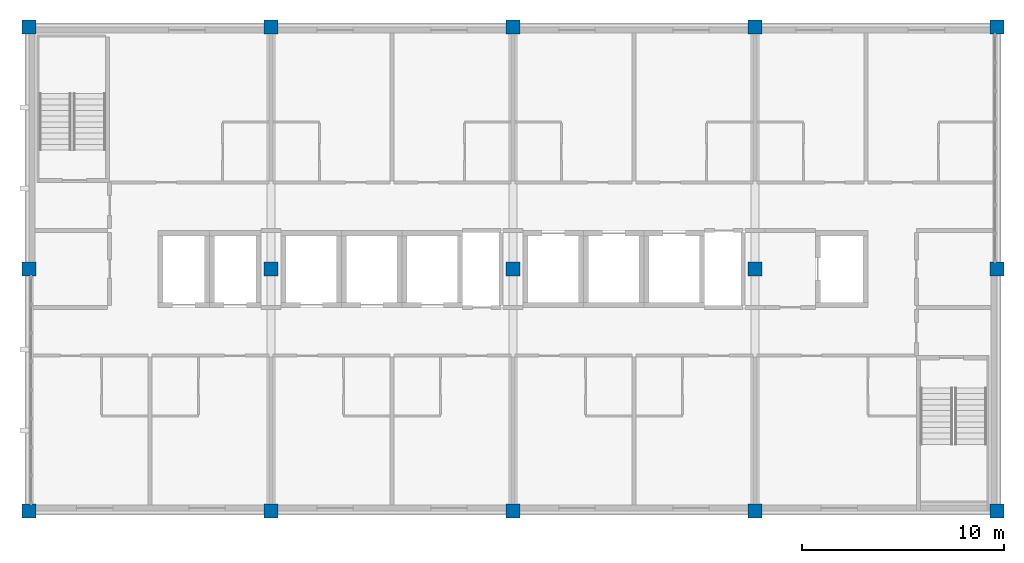
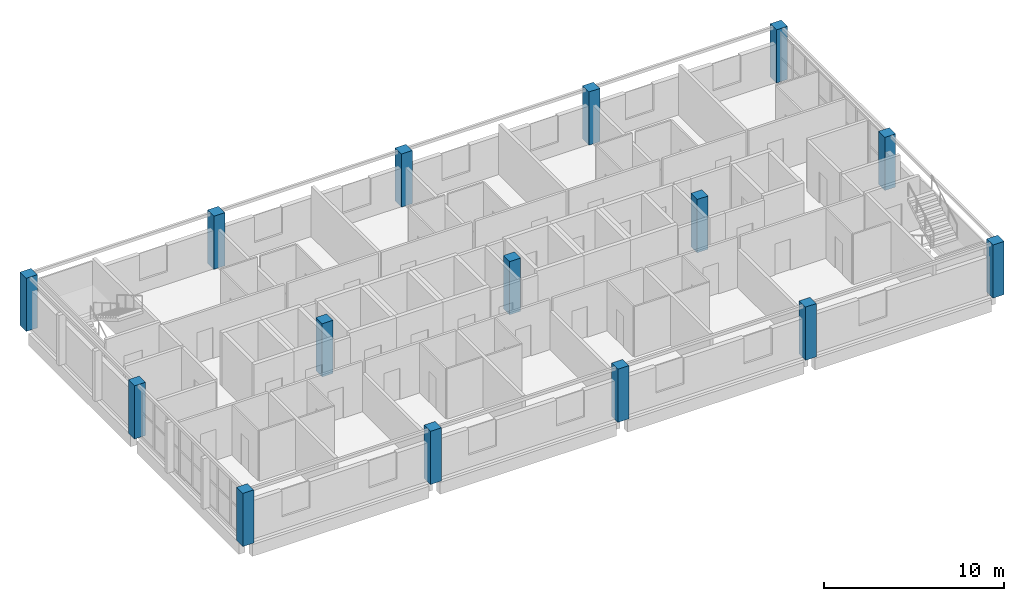
# One storey, part 1 of 11: 15 columns.
"""IFC4 building model written with IfcOpenShell, lengths in metres."""

from ifc_helpers import new_model, si_unit, direction, frame, origin, origin_2d, place, context, subcontext, project, spatial, rectangle, extrude, material, material_profile, profile_set, type_object, element, save


model = new_model("IFC4")

# Units and contexts
model_context = context("Model", 3, precision=1e-05, world=origin(), true_north=direction((0.0, 1.0)))
body_context = subcontext(model_context, "Body", "Model", "MODEL_VIEW")
ifc_project = project(units=[si_unit("LENGTHUNIT", "METRE"), si_unit("AREAUNIT", "SQUARE_METRE"), si_unit("VOLUMEUNIT", "CUBIC_METRE"), si_unit("PLANEANGLEUNIT", "RADIAN"), si_unit("MASSUNIT", "GRAM", prefix="KILO")], contexts=[model_context])

# Site, building, storey
site_placement = place(None, origin())
site = spatial("IfcSite", under=ifc_project, at=site_placement, CompositionType="ELEMENT")
building_placement = place(site_placement, origin())
building = spatial("IfcBuilding", under=site, at=building_placement, Name="Lilac Gate Convention Centre", CompositionType="ELEMENT")
storey_placement = place(building_placement, frame((0.0, 0.0, 60.60009765625)))
storey = spatial("IfcBuildingStorey", under=building, at=storey_placement, Name="L15", CompositionType="ELEMENT", Elevation=60.60009765625)

# Columns
ifc_material = material(Name="Concrete C40", Category="concrete")
ifc_material_profile = material_profile(ifc_material, rectangle(XDim=0.699951171875, YDim=0.699951171875, at=origin_2d()), Name="RC 700x700")
ifc_profile_set = profile_set([ifc_material_profile], Name="Concrete C40")
column_type = type_object("IfcColumnType", Name="RC tower column 700x700 C40", PredefinedType="COLUMN", material=ifc_profile_set)
for number, where, z_axis, x_axis, name in (
    (1, (42.0, 222.0, 0.0), (0.0, 0.0, 1.0), (1.0, 0.0, 0.0), "C7 L15 at 4/S"),
    (2, (42.0, 234.0, 0.0), (0.0, 0.0, 1.0), (1.0, 0.0, 0.0), "C7 L15 at 4/T"),
    (3, (42.0, 246.0, 0.0), (0.0, 0.0, 1.0), (1.0, 0.0, 0.0), "C7 L15 at 4/U"),
    (4, (54.0, 222.0, 0.0), (0.0, 0.0, 1.0), (1.0, 0.0, 0.0), "C7 L15 at 5/S"),
    (5, (54.0, 234.0, 0.0), (0.0, 0.0, 1.0), (1.0, 0.0, 0.0), "C7 L15 at 5/T"),
    (6, (54.0, 246.0, 0.0), (0.0, 0.0, 1.0), (1.0, 0.0, 0.0), "C7 L15 at 5/U"),
    (7, (66.0, 222.0, 0.0), (0.0, 0.0, 1.0), (1.0, 0.0, 0.0), "C7 L15 at 6/S"),
    (8, (66.0, 234.0, 0.0), (0.0, 0.0, 1.0), (1.0, 0.0, 0.0), "C7 L15 at 6/T"),
    (9, (66.0, 246.0, 0.0), (0.0, 0.0, 1.0), (1.0, 0.0, 0.0), "C7 L15 at 6/U"),
    (10, (78.0, 222.0, 0.0), (0.0, 0.0, 1.0), (1.0, 0.0, 0.0), "C7 L15 at 7/S"),
    (11, (78.0, 234.0, 0.0), (0.0, 0.0, 1.0), (1.0, 0.0, 0.0), "C7 L15 at 7/T"),
    (12, (78.0, 246.0, 0.0), (0.0, 0.0, 1.0), (1.0, 0.0, 0.0), "C7 L15 at 7/U"),
    (13, (90.0, 222.0, 0.0), (0.0, 0.0, 1.0), (1.0, 0.0, 0.0), "C7 L15 at 8/S"),
    (14, (90.0, 234.0, 0.0), (0.0, 0.0, 1.0), (1.0, 0.0, 0.0), "C7 L15 at 8/T"),
    (15, (90.0, 246.0, 0.0), (0.0, 0.0, 1.0), (1.0, 0.0, 0.0), "C7 L15 at 8/U"),
):
    element("IfcColumn", number, at=place(storey_placement, frame(where, z_axis=z_axis, x_axis=x_axis)), inside=storey, type_object=column_type, Name=name, PredefinedType="COLUMN", context=body_context, shape_type="SweptSolid", body=[
        extrude(rectangle(XDim=0.699951171875, YDim=0.699951171875, at=origin_2d()), origin(), (0.0, 0.0, 1.0), 3.599853515625),
    ])

save(model, "model.ifc")
